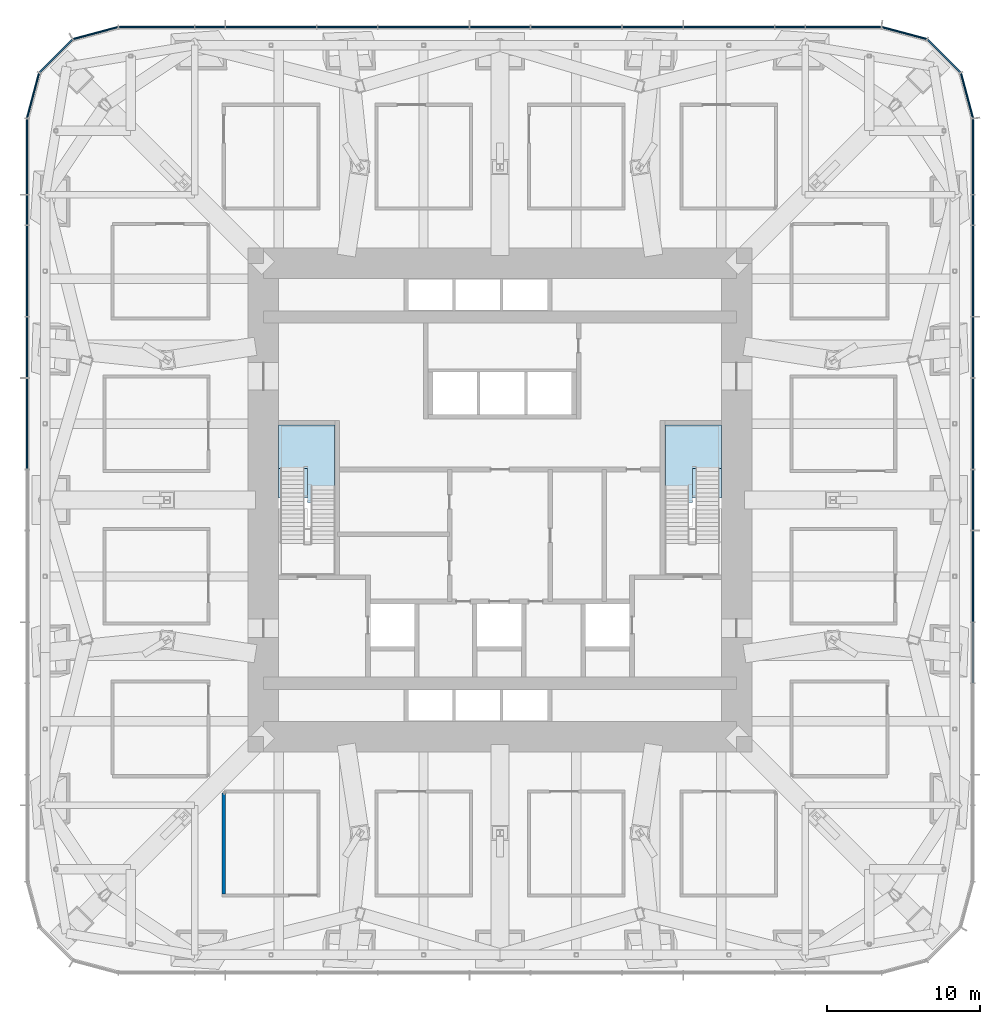
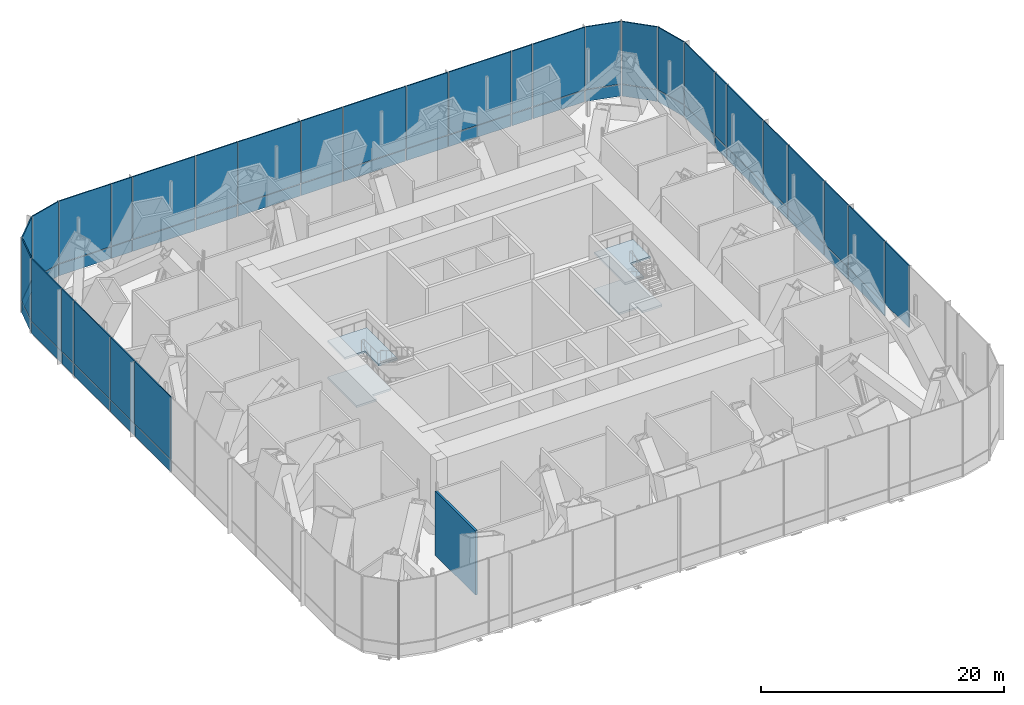
# One storey, part 11 of 20: 59 plates, 4 slabs, 1 wall, 7 elements without a shape of their own.
"""IFC4 building model written with IfcOpenShell, lengths in metres."""

from ifc_helpers import new_model, si_unit, direction, frame, frame_2d, origin, origin_2d, place, context, subcontext, project, spatial, polyline, rectangle, outline, extrude, material, layer, layer_set, type_object, element, aggregate, save


model = new_model("IFC4")

# Units and contexts
model_context = context("Model", 3, precision=1e-05, world=origin(), true_north=direction((0.0, 1.0)))
body_context = subcontext(model_context, "Body", "Model", "MODEL_VIEW")
ifc_project = project(units=[si_unit("LENGTHUNIT", "METRE"), si_unit("AREAUNIT", "SQUARE_METRE"), si_unit("VOLUMEUNIT", "CUBIC_METRE"), si_unit("PLANEANGLEUNIT", "RADIAN"), si_unit("MASSUNIT", "GRAM", prefix="KILO")], contexts=[model_context])

# Site, building, storey
site_placement = place(None, origin())
site = spatial("IfcSite", under=ifc_project, at=site_placement, CompositionType="ELEMENT")
building_placement = place(site_placement, origin())
building = spatial("IfcBuilding", under=site, at=building_placement, Name="Khuree Lantern Residences", CompositionType="ELEMENT")
storey_placement = place(building_placement, frame((0.0, 0.0, 99.75)))
storey = spatial("IfcBuildingStorey", under=building, at=storey_placement, Name="L25", CompositionType="ELEMENT", Elevation=99.75)

# Curtain wall, plates
ifc_material_1 = material(Name="Bronze anodised aluminium", Category="aluminium")
curtain_wall_type = type_object("IfcCurtainWallType", Name="CW-G PLANT STOREY LOUVRED CURTAIN WALL", PredefinedType="USERDEFINED", material=ifc_material_1)
curtain_wall_1_placement = place(storey_placement, origin())
curtain_wall_1 = element("IfcCurtainWall", 1, at=curtain_wall_1_placement, inside=storey, type_object=curtain_wall_type, Name="L25 EAST FACE CURTAIN WALL", ObjectType="Louvred curtain wall", PredefinedType="USERDEFINED")
ifc_material_2 = material(Name="Bronze anodised aluminium louvre blades", Category="aluminium")
ifc_layer_1 = layer(ifc_material_2, 0.10009765625)
ifc_layer_set_1 = layer_set([ifc_layer_1], Name="LOUVRE PANEL P5")
plate_type_1 = type_object("IfcPlateType", Name="LOUVRE PANEL P5", PredefinedType="CURTAIN_PANEL", material=ifc_layer_set_1)
plate_1_placement = place(storey_placement, frame((31.0, -10.0, 1.240234375), z_axis=(0.0, 0.0, 1.0), x_axis=(0.0, 1.0, 0.0)))
plate_1 = element("IfcPlate", 2, at=plate_1_placement, type_object=plate_type_1, Name="L25 EAST FACE PANEL 7.2", PredefinedType="CURTAIN_PANEL", context=body_context, shape_type="SweptSolid", body=[
    extrude(rectangle(XDim=3.919921875, YDim=0.10009765625, at=origin_2d()), origin(), (0.0, 0.0, 1.0), 6.260009765625),
])
plate_2_placement = place(storey_placement, frame((31.0, -5.0, 1.240234375), z_axis=(0.0, 0.0, 1.0), x_axis=(0.0, 1.0, 0.0)))
plate_2 = element("IfcPlate", 3, at=plate_2_placement, type_object=plate_type_1, Name="L25 EAST FACE PANEL 8.2", PredefinedType="CURTAIN_PANEL", context=body_context, shape_type="SweptSolid", body=[
    extrude(rectangle(XDim=5.919921875, YDim=0.10009765625, at=origin_2d()), origin(), (0.0, 0.0, 1.0), 6.260009765625),
])
plate_3_placement = place(storey_placement, frame((31.0, 0.0, 1.240234375), z_axis=(0.0, 0.0, 1.0), x_axis=(0.0, 1.0, 0.0)))
plate_3 = element("IfcPlate", 4, at=plate_3_placement, type_object=plate_type_1, Name="L25 EAST FACE PANEL 9.2", PredefinedType="CURTAIN_PANEL", context=body_context, shape_type="SweptSolid", body=[
    extrude(rectangle(XDim=3.919921875, YDim=0.10009765625, at=origin_2d()), origin(), (0.0, 0.0, 1.0), 6.260009765625),
])
plate_4_placement = place(storey_placement, frame((31.0, 5.0, 1.240234375), z_axis=(0.0, 0.0, 1.0), x_axis=(0.0, 1.0, 0.0)))
plate_4 = element("IfcPlate", 5, at=plate_4_placement, type_object=plate_type_1, Name="L25 EAST FACE PANEL 10.2", PredefinedType="CURTAIN_PANEL", context=body_context, shape_type="SweptSolid", body=[
    extrude(rectangle(XDim=5.919921875, YDim=0.10009765625, at=origin_2d()), origin(), (0.0, 0.0, 1.0), 6.260009765625),
])
plate_5_placement = place(storey_placement, frame((31.0, 10.0, 1.240234375), z_axis=(0.0, 0.0, 1.0), x_axis=(0.0, 1.0, 0.0)))
plate_5 = element("IfcPlate", 6, at=plate_5_placement, type_object=plate_type_1, Name="L25 EAST FACE PANEL 11.2", PredefinedType="CURTAIN_PANEL", context=body_context, shape_type="SweptSolid", body=[
    extrude(rectangle(XDim=3.919921875, YDim=0.10009765625, at=origin_2d()), origin(), (0.0, 0.0, 1.0), 6.260009765625),
])
plate_6_placement = place(storey_placement, frame((31.0, 15.0, 1.240234375), z_axis=(0.0, 0.0, 1.0), x_axis=(0.0, 1.0, 0.0)))
plate_6 = element("IfcPlate", 7, at=plate_6_placement, type_object=plate_type_1, Name="L25 EAST FACE PANEL 12.2", PredefinedType="CURTAIN_PANEL", context=body_context, shape_type="SweptSolid", body=[
    extrude(rectangle(XDim=5.919921875, YDim=0.10009765625, at=origin_2d()), origin(), (0.0, 0.0, 1.0), 6.260009765625),
])
plate_7_placement = place(storey_placement, frame((31.0, 19.0, 1.240234375), z_axis=(0.0, 0.0, 1.0), x_axis=(0.0, 1.0, 0.0)))
plate_7 = element("IfcPlate", 8, at=plate_7_placement, type_object=plate_type_1, Name="L25 EAST FACE PANEL 13.2", PredefinedType="CURTAIN_PANEL", context=body_context, shape_type="SweptSolid", body=[
    extrude(rectangle(XDim=1.919921875, YDim=0.10009765625, at=origin_2d()), origin(), (0.0, 0.0, 1.0), 6.260009765625),
])
plate_8_placement = place(storey_placement, frame((31.0, 22.49658203125, 1.240234375), z_axis=(0.0, 0.0, 1.0), x_axis=(0.0, 1.0, 0.0)))
plate_8 = element("IfcPlate", 9, at=plate_8_placement, type_object=plate_type_1, Name="L25 EAST FACE PANEL 14.2", PredefinedType="CURTAIN_PANEL", context=body_context, shape_type="SweptSolid", body=[
    extrude(rectangle(XDim=4.9130859375, YDim=0.10009765625, at=origin_2d()), origin(), (0.0, 0.0, 1.0), 6.260009765625),
])

curtain_wall_2_placement = place(storey_placement, origin())
curtain_wall_2 = element("IfcCurtainWall", 10, at=curtain_wall_2_placement, inside=storey, type_object=curtain_wall_type, Name="L25 NORTH-EAST CORNER CURTAIN WALL", ObjectType="Louvred curtain wall", PredefinedType="USERDEFINED")
plate_9_placement = place(storey_placement, frame((30.59912109375, 26.49609375, 1.240234375), z_axis=(0.0, 0.0, 1.0), x_axis=(-0.258819172081, 0.965925792265, 0.0)))
plate_9 = element("IfcPlate", 11, at=plate_9_placement, type_object=plate_type_1, Name="L25 NORTH-EAST CORNER PANEL 15.2", PredefinedType="CURTAIN_PANEL", context=body_context, shape_type="SweptSolid", body=[
    extrude(rectangle(XDim=3.004150390625, YDim=0.10009765625, at=origin_2d()), origin(), (0.0, 0.0, 1.0), 6.260009765625),
])
plate_10_placement = place(storey_placement, frame((29.09814453125, 29.09814453125, 1.240234375), z_axis=(0.0, 0.0, 1.0), x_axis=(-0.707106781187, 0.707106781187, 0.0)))
plate_10 = element("IfcPlate", 12, at=plate_10_placement, type_object=plate_type_1, Name="L25 NORTH-EAST CORNER PANEL 16.2", PredefinedType="CURTAIN_PANEL", context=body_context, shape_type="SweptSolid", body=[
    extrude(rectangle(XDim=2.99609375, YDim=0.10009765625, at=origin_2d()), origin(), (0.0, 0.0, 1.0), 6.260009765625),
])
plate_11_placement = place(storey_placement, frame((26.49609375, 30.59912109375, 1.240234375), z_axis=(0.0, 0.0, 1.0), x_axis=(-0.965925792265, 0.258819172081, 0.0)))
plate_11 = element("IfcPlate", 13, at=plate_11_placement, type_object=plate_type_1, Name="L25 NORTH-EAST CORNER PANEL 17.2", PredefinedType="CURTAIN_PANEL", context=body_context, shape_type="SweptSolid", body=[
    extrude(rectangle(XDim=3.004150390625, YDim=0.10009765625, at=origin_2d()), origin(), (0.0, 0.0, 1.0), 6.260009765625),
])

curtain_wall_3_placement = place(storey_placement, origin())
curtain_wall_3 = element("IfcCurtainWall", 14, at=curtain_wall_3_placement, inside=storey, type_object=curtain_wall_type, Name="L25 NORTH FACE CURTAIN WALL", ObjectType="Louvred curtain wall", PredefinedType="USERDEFINED")
plate_12_placement = place(storey_placement, frame((22.49658203125, 31.0, 1.240234375), z_axis=(0.0, 0.0, 1.0), x_axis=(-1.0, 0.0, 0.0)))
plate_12 = element("IfcPlate", 15, at=plate_12_placement, type_object=plate_type_1, Name="L25 NORTH FACE PANEL 18.2", PredefinedType="CURTAIN_PANEL", context=body_context, shape_type="SweptSolid", body=[
    extrude(rectangle(XDim=4.9130859375, YDim=0.10009765625, at=origin_2d()), origin(), (0.0, 0.0, 1.0), 6.260009765625),
])
plate_13_placement = place(storey_placement, frame((19.0, 31.0, 1.240234375), z_axis=(0.0, 0.0, 1.0), x_axis=(-1.0, 0.0, 0.0)))
plate_13 = element("IfcPlate", 16, at=plate_13_placement, type_object=plate_type_1, Name="L25 NORTH FACE PANEL 19.2", PredefinedType="CURTAIN_PANEL", context=body_context, shape_type="SweptSolid", body=[
    extrude(rectangle(XDim=1.919921875, YDim=0.10009765625, at=origin_2d()), origin(), (0.0, 0.0, 1.0), 6.260009765625),
])
plate_14_placement = place(storey_placement, frame((15.0, 31.0, 1.240234375), z_axis=(0.0, 0.0, 1.0), x_axis=(-1.0, 0.0, 0.0)))
plate_14 = element("IfcPlate", 17, at=plate_14_placement, type_object=plate_type_1, Name="L25 NORTH FACE PANEL 20.2", PredefinedType="CURTAIN_PANEL", context=body_context, shape_type="SweptSolid", body=[
    extrude(rectangle(XDim=5.919921875, YDim=0.10009765625, at=origin_2d()), origin(), (0.0, 0.0, 1.0), 6.260009765625),
])
plate_15_placement = place(storey_placement, frame((10.0, 31.0, 1.240234375), z_axis=(0.0, 0.0, 1.0), x_axis=(-1.0, 0.0, 0.0)))
plate_15 = element("IfcPlate", 18, at=plate_15_placement, type_object=plate_type_1, Name="L25 NORTH FACE PANEL 21.2", PredefinedType="CURTAIN_PANEL", context=body_context, shape_type="SweptSolid", body=[
    extrude(rectangle(XDim=3.919921875, YDim=0.10009765625, at=origin_2d()), origin(), (0.0, 0.0, 1.0), 6.260009765625),
])
plate_16_placement = place(storey_placement, frame((5.0, 31.0, 1.240234375), z_axis=(0.0, 0.0, 1.0), x_axis=(-1.0, 0.0, 0.0)))
plate_16 = element("IfcPlate", 19, at=plate_16_placement, type_object=plate_type_1, Name="L25 NORTH FACE PANEL 22.2", PredefinedType="CURTAIN_PANEL", context=body_context, shape_type="SweptSolid", body=[
    extrude(rectangle(XDim=5.919921875, YDim=0.10009765625, at=origin_2d()), origin(), (0.0, 0.0, 1.0), 6.260009765625),
])
plate_17_placement = place(storey_placement, frame((0.0, 31.0, 1.240234375), z_axis=(0.0, 0.0, 1.0), x_axis=(-1.0, 0.0, 0.0)))
plate_17 = element("IfcPlate", 20, at=plate_17_placement, type_object=plate_type_1, Name="L25 NORTH FACE PANEL 23.2", PredefinedType="CURTAIN_PANEL", context=body_context, shape_type="SweptSolid", body=[
    extrude(rectangle(XDim=3.919921875, YDim=0.10009765625, at=origin_2d()), origin(), (0.0, 0.0, 1.0), 6.260009765625),
])
plate_18_placement = place(storey_placement, frame((-5.0, 31.0, 1.240234375), z_axis=(0.0, 0.0, 1.0), x_axis=(-1.0, 0.0, 0.0)))
plate_18 = element("IfcPlate", 21, at=plate_18_placement, type_object=plate_type_1, Name="L25 NORTH FACE PANEL 24.2", PredefinedType="CURTAIN_PANEL", context=body_context, shape_type="SweptSolid", body=[
    extrude(rectangle(XDim=5.919921875, YDim=0.10009765625, at=origin_2d()), origin(), (0.0, 0.0, 1.0), 6.260009765625),
])
plate_19_placement = place(storey_placement, frame((-10.0, 31.0, 1.240234375), z_axis=(0.0, 0.0, 1.0), x_axis=(-1.0, 0.0, 0.0)))
plate_19 = element("IfcPlate", 22, at=plate_19_placement, type_object=plate_type_1, Name="L25 NORTH FACE PANEL 25.2", PredefinedType="CURTAIN_PANEL", context=body_context, shape_type="SweptSolid", body=[
    extrude(rectangle(XDim=3.919921875, YDim=0.10009765625, at=origin_2d()), origin(), (0.0, 0.0, 1.0), 6.260009765625),
])
plate_20_placement = place(storey_placement, frame((-15.0, 31.0, 1.240234375), z_axis=(0.0, 0.0, 1.0), x_axis=(-1.0, 0.0, 0.0)))
plate_20 = element("IfcPlate", 23, at=plate_20_placement, type_object=plate_type_1, Name="L25 NORTH FACE PANEL 26.2", PredefinedType="CURTAIN_PANEL", context=body_context, shape_type="SweptSolid", body=[
    extrude(rectangle(XDim=5.919921875, YDim=0.10009765625, at=origin_2d()), origin(), (0.0, 0.0, 1.0), 6.260009765625),
])
plate_21_placement = place(storey_placement, frame((-19.0, 31.0, 1.240234375), z_axis=(0.0, 0.0, 1.0), x_axis=(-1.0, 0.0, 0.0)))
plate_21 = element("IfcPlate", 24, at=plate_21_placement, type_object=plate_type_1, Name="L25 NORTH FACE PANEL 27.2", PredefinedType="CURTAIN_PANEL", context=body_context, shape_type="SweptSolid", body=[
    extrude(rectangle(XDim=1.919921875, YDim=0.10009765625, at=origin_2d()), origin(), (0.0, 0.0, 1.0), 6.260009765625),
])
plate_22_placement = place(storey_placement, frame((-22.49658203125, 31.0, 1.240234375), z_axis=(0.0, 0.0, 1.0), x_axis=(-1.0, 0.0, 0.0)))
plate_22 = element("IfcPlate", 25, at=plate_22_placement, type_object=plate_type_1, Name="L25 NORTH FACE PANEL 28.2", PredefinedType="CURTAIN_PANEL", context=body_context, shape_type="SweptSolid", body=[
    extrude(rectangle(XDim=4.9130859375, YDim=0.10009765625, at=origin_2d()), origin(), (0.0, 0.0, 1.0), 6.260009765625),
])

curtain_wall_4_placement = place(storey_placement, origin())
curtain_wall_4 = element("IfcCurtainWall", 26, at=curtain_wall_4_placement, inside=storey, type_object=curtain_wall_type, Name="L25 NORTH-WEST CORNER CURTAIN WALL", ObjectType="Louvred curtain wall", PredefinedType="USERDEFINED")
plate_23_placement = place(storey_placement, frame((-26.49609375, 30.59912109375, 1.240234375), z_axis=(0.0, 0.0, 1.0), x_axis=(-0.965925792265, -0.258819172081, 0.0)))
plate_23 = element("IfcPlate", 27, at=plate_23_placement, type_object=plate_type_1, Name="L25 NORTH-WEST CORNER PANEL 29.2", PredefinedType="CURTAIN_PANEL", context=body_context, shape_type="SweptSolid", body=[
    extrude(rectangle(XDim=3.004150390625, YDim=0.10009765625, at=origin_2d()), origin(), (0.0, 0.0, 1.0), 6.260009765625),
])
plate_24_placement = place(storey_placement, frame((-29.09814453125, 29.09814453125, 1.240234375), z_axis=(0.0, 0.0, 1.0), x_axis=(-0.707106781187, -0.707106781187, 0.0)))
plate_24 = element("IfcPlate", 28, at=plate_24_placement, type_object=plate_type_1, Name="L25 NORTH-WEST CORNER PANEL 30.2", PredefinedType="CURTAIN_PANEL", context=body_context, shape_type="SweptSolid", body=[
    extrude(rectangle(XDim=2.99609375, YDim=0.10009765625, at=origin_2d()), origin(), (0.0, 0.0, 1.0), 6.260009765625),
])
plate_25_placement = place(storey_placement, frame((-30.59912109375, 26.49609375, 1.240234375), z_axis=(0.0, 0.0, 1.0), x_axis=(-0.258819172081, -0.965925792265, 0.0)))
plate_25 = element("IfcPlate", 29, at=plate_25_placement, type_object=plate_type_1, Name="L25 NORTH-WEST CORNER PANEL 31.2", PredefinedType="CURTAIN_PANEL", context=body_context, shape_type="SweptSolid", body=[
    extrude(rectangle(XDim=3.004150390625, YDim=0.10009765625, at=origin_2d()), origin(), (0.0, 0.0, 1.0), 6.260009765625),
])

curtain_wall_5_placement = place(storey_placement, origin())
curtain_wall_5 = element("IfcCurtainWall", 30, at=curtain_wall_5_placement, inside=storey, type_object=curtain_wall_type, Name="L25 WEST FACE CURTAIN WALL", ObjectType="Louvred curtain wall", PredefinedType="USERDEFINED")
plate_26_placement = place(storey_placement, frame((-31.0, 22.49658203125, 1.240234375), z_axis=(0.0, 0.0, 1.0), x_axis=(0.0, -1.0, 0.0)))
plate_26 = element("IfcPlate", 31, at=plate_26_placement, type_object=plate_type_1, Name="L25 WEST FACE PANEL 32.2", PredefinedType="CURTAIN_PANEL", context=body_context, shape_type="SweptSolid", body=[
    extrude(rectangle(XDim=4.9130859375, YDim=0.10009765625, at=origin_2d()), origin(), (0.0, 0.0, 1.0), 6.260009765625),
])
plate_27_placement = place(storey_placement, frame((-31.0, 19.0, 1.240234375), z_axis=(0.0, 0.0, 1.0), x_axis=(0.0, -1.0, 0.0)))
plate_27 = element("IfcPlate", 32, at=plate_27_placement, type_object=plate_type_1, Name="L25 WEST FACE PANEL 33.2", PredefinedType="CURTAIN_PANEL", context=body_context, shape_type="SweptSolid", body=[
    extrude(rectangle(XDim=1.919921875, YDim=0.10009765625, at=origin_2d()), origin(), (0.0, 0.0, 1.0), 6.260009765625),
])
plate_28_placement = place(storey_placement, frame((-31.0, 15.0, 1.240234375), z_axis=(0.0, 0.0, 1.0), x_axis=(0.0, -1.0, 0.0)))
plate_28 = element("IfcPlate", 33, at=plate_28_placement, type_object=plate_type_1, Name="L25 WEST FACE PANEL 34.2", PredefinedType="CURTAIN_PANEL", context=body_context, shape_type="SweptSolid", body=[
    extrude(rectangle(XDim=5.919921875, YDim=0.10009765625, at=origin_2d()), origin(), (0.0, 0.0, 1.0), 6.260009765625),
])
plate_29_placement = place(storey_placement, frame((-31.0, 10.0, 1.240234375), z_axis=(0.0, 0.0, 1.0), x_axis=(0.0, -1.0, 0.0)))
plate_29 = element("IfcPlate", 34, at=plate_29_placement, type_object=plate_type_1, Name="L25 WEST FACE PANEL 35.2", PredefinedType="CURTAIN_PANEL", context=body_context, shape_type="SweptSolid", body=[
    extrude(rectangle(XDim=3.919921875, YDim=0.10009765625, at=origin_2d()), origin(), (0.0, 0.0, 1.0), 6.260009765625),
])
plate_30_placement = place(storey_placement, frame((-31.0, 5.0, 1.240234375), z_axis=(0.0, 0.0, 1.0), x_axis=(0.0, -1.0, 0.0)))
plate_30 = element("IfcPlate", 35, at=plate_30_placement, type_object=plate_type_1, Name="L25 WEST FACE PANEL 36.2", PredefinedType="CURTAIN_PANEL", context=body_context, shape_type="SweptSolid", body=[
    extrude(rectangle(XDim=5.919921875, YDim=0.10009765625, at=origin_2d()), origin(), (0.0, 0.0, 1.0), 6.260009765625),
])

# Plate
ifc_material_3 = material(Name="Bronze anodised aluminium insulated spandrel", Category="aluminium")
ifc_layer_2 = layer(ifc_material_3, 0.080078125)
ifc_layer_set_2 = layer_set([ifc_layer_2], Name="PLANT SPANDREL PANEL P6")
plate_type_2 = type_object("IfcPlateType", Name="PLANT SPANDREL PANEL P6", PredefinedType="CURTAIN_PANEL", material=ifc_layer_set_2)
plate_31_placement = place(storey_placement, frame((31.0, -5.0, 0.0), z_axis=(0.0, 0.0, 1.0), x_axis=(0.0, 1.0, 0.0)))
plate_31 = element("IfcPlate", 36, at=plate_31_placement, type_object=plate_type_2, Name="L25 EAST FACE PANEL 8.1", PredefinedType="CURTAIN_PANEL", context=body_context, shape_type="SweptSolid", body=[
    extrude(rectangle(XDim=5.919921875, YDim=0.080078125, at=origin_2d()), origin(), (0.0, 0.0, 1.0), 1.159912109375),
])

plate_32_placement = place(storey_placement, frame((31.0, 0.0, 0.0), z_axis=(0.0, 0.0, 1.0), x_axis=(0.0, 1.0, 0.0)))
plate_32 = element("IfcPlate", 37, at=plate_32_placement, type_object=plate_type_2, Name="L25 EAST FACE PANEL 9.1", PredefinedType="CURTAIN_PANEL", context=body_context, shape_type="SweptSolid", body=[
    extrude(rectangle(XDim=3.919921875, YDim=0.080078125, at=origin_2d()), origin(), (0.0, 0.0, 1.0), 1.159912109375),
])

plate_33_placement = place(storey_placement, frame((31.0, 5.0, 0.0), z_axis=(0.0, 0.0, 1.0), x_axis=(0.0, 1.0, 0.0)))
plate_33 = element("IfcPlate", 38, at=plate_33_placement, type_object=plate_type_2, Name="L25 EAST FACE PANEL 10.1", PredefinedType="CURTAIN_PANEL", context=body_context, shape_type="SweptSolid", body=[
    extrude(rectangle(XDim=5.919921875, YDim=0.080078125, at=origin_2d()), origin(), (0.0, 0.0, 1.0), 1.159912109375),
])

plate_34_placement = place(storey_placement, frame((31.0, 10.0, 0.0), z_axis=(0.0, 0.0, 1.0), x_axis=(0.0, 1.0, 0.0)))
plate_34 = element("IfcPlate", 39, at=plate_34_placement, type_object=plate_type_2, Name="L25 EAST FACE PANEL 11.1", PredefinedType="CURTAIN_PANEL", context=body_context, shape_type="SweptSolid", body=[
    extrude(rectangle(XDim=3.919921875, YDim=0.080078125, at=origin_2d()), origin(), (0.0, 0.0, 1.0), 1.159912109375),
])

plate_35_placement = place(storey_placement, frame((31.0, 15.0, 0.0), z_axis=(0.0, 0.0, 1.0), x_axis=(0.0, 1.0, 0.0)))
plate_35 = element("IfcPlate", 40, at=plate_35_placement, type_object=plate_type_2, Name="L25 EAST FACE PANEL 12.1", PredefinedType="CURTAIN_PANEL", context=body_context, shape_type="SweptSolid", body=[
    extrude(rectangle(XDim=5.919921875, YDim=0.080078125, at=origin_2d()), origin(), (0.0, 0.0, 1.0), 1.159912109375),
])

plate_36_placement = place(storey_placement, frame((31.0, 19.0, 0.0), z_axis=(0.0, 0.0, 1.0), x_axis=(0.0, 1.0, 0.0)))
plate_36 = element("IfcPlate", 41, at=plate_36_placement, type_object=plate_type_2, Name="L25 EAST FACE PANEL 13.1", PredefinedType="CURTAIN_PANEL", context=body_context, shape_type="SweptSolid", body=[
    extrude(rectangle(XDim=1.919921875, YDim=0.080078125, at=origin_2d()), origin(), (0.0, 0.0, 1.0), 1.159912109375),
])

plate_37_placement = place(storey_placement, frame((31.0, 22.497314453125, 0.0), z_axis=(0.0, 0.0, 1.0), x_axis=(0.0, 1.0, 0.0)))
plate_37 = element("IfcPlate", 42, at=plate_37_placement, type_object=plate_type_2, Name="L25 EAST FACE PANEL 14.1", PredefinedType="CURTAIN_PANEL", context=body_context, shape_type="SweptSolid", body=[
    extrude(rectangle(XDim=4.914306640625, YDim=0.080078125, at=origin_2d()), origin(), (0.0, 0.0, 1.0), 1.159912109375),
])

aggregate(curtain_wall_1, [plate_1, plate_31, plate_2, plate_32, plate_3, plate_33, plate_4, plate_34, plate_5, plate_35, plate_6, plate_36, plate_7, plate_37, plate_8])

plate_38_placement = place(storey_placement, frame((30.598876953125, 26.496826171875, 0.0), z_axis=(0.0, 0.0, 1.0), x_axis=(-0.258819172081, 0.965925792265, 0.0)))
plate_38 = element("IfcPlate", 43, at=plate_38_placement, type_object=plate_type_2, Name="L25 NORTH-EAST CORNER PANEL 15.1", PredefinedType="CURTAIN_PANEL", context=body_context, shape_type="SweptSolid", body=[
    extrude(rectangle(XDim=3.008056640625, YDim=0.080078125, at=origin_2d()), origin(), (0.0, 0.0, 1.0), 1.159912109375),
])

plate_39_placement = place(storey_placement, frame((29.09814453125, 29.09814453125, 0.0), z_axis=(0.0, 0.0, 1.0), x_axis=(-0.707106781187, 0.707106781187, 0.0)))
plate_39 = element("IfcPlate", 44, at=plate_39_placement, type_object=plate_type_2, Name="L25 NORTH-EAST CORNER PANEL 16.1", PredefinedType="CURTAIN_PANEL", context=body_context, shape_type="SweptSolid", body=[
    extrude(rectangle(XDim=3.00146484375, YDim=0.080078125, at=origin_2d()), origin(), (0.0, 0.0, 1.0), 1.159912109375),
])

plate_40_placement = place(storey_placement, frame((26.496826171875, 30.598876953125, 0.0), z_axis=(0.0, 0.0, 1.0), x_axis=(-0.965925792265, 0.258819172081, 0.0)))
plate_40 = element("IfcPlate", 45, at=plate_40_placement, type_object=plate_type_2, Name="L25 NORTH-EAST CORNER PANEL 17.1", PredefinedType="CURTAIN_PANEL", context=body_context, shape_type="SweptSolid", body=[
    extrude(rectangle(XDim=3.008056640625, YDim=0.080078125, at=origin_2d()), origin(), (0.0, 0.0, 1.0), 1.159912109375),
])

aggregate(curtain_wall_2, [plate_38, plate_9, plate_39, plate_10, plate_40, plate_11])

plate_41_placement = place(storey_placement, frame((22.497314453125, 31.0, 0.0), z_axis=(0.0, 0.0, 1.0), x_axis=(-1.0, 0.0, 0.0)))
plate_41 = element("IfcPlate", 46, at=plate_41_placement, type_object=plate_type_2, Name="L25 NORTH FACE PANEL 18.1", PredefinedType="CURTAIN_PANEL", context=body_context, shape_type="SweptSolid", body=[
    extrude(rectangle(XDim=4.914306640625, YDim=0.080078125, at=origin_2d()), origin(), (0.0, 0.0, 1.0), 1.159912109375),
])

plate_42_placement = place(storey_placement, frame((19.0, 31.0, 0.0), z_axis=(0.0, 0.0, 1.0), x_axis=(-1.0, 0.0, 0.0)))
plate_42 = element("IfcPlate", 47, at=plate_42_placement, type_object=plate_type_2, Name="L25 NORTH FACE PANEL 19.1", PredefinedType="CURTAIN_PANEL", context=body_context, shape_type="SweptSolid", body=[
    extrude(rectangle(XDim=1.919921875, YDim=0.080078125, at=origin_2d()), origin(), (0.0, 0.0, 1.0), 1.159912109375),
])

plate_43_placement = place(storey_placement, frame((15.0, 31.0, 0.0), z_axis=(0.0, 0.0, 1.0), x_axis=(-1.0, 0.0, 0.0)))
plate_43 = element("IfcPlate", 48, at=plate_43_placement, type_object=plate_type_2, Name="L25 NORTH FACE PANEL 20.1", PredefinedType="CURTAIN_PANEL", context=body_context, shape_type="SweptSolid", body=[
    extrude(rectangle(XDim=5.919921875, YDim=0.080078125, at=origin_2d()), origin(), (0.0, 0.0, 1.0), 1.159912109375),
])

plate_44_placement = place(storey_placement, frame((10.0, 31.0, 0.0), z_axis=(0.0, 0.0, 1.0), x_axis=(-1.0, 0.0, 0.0)))
plate_44 = element("IfcPlate", 49, at=plate_44_placement, type_object=plate_type_2, Name="L25 NORTH FACE PANEL 21.1", PredefinedType="CURTAIN_PANEL", context=body_context, shape_type="SweptSolid", body=[
    extrude(rectangle(XDim=3.919921875, YDim=0.080078125, at=origin_2d()), origin(), (0.0, 0.0, 1.0), 1.159912109375),
])

plate_45_placement = place(storey_placement, frame((5.0, 31.0, 0.0), z_axis=(0.0, 0.0, 1.0), x_axis=(-1.0, 0.0, 0.0)))
plate_45 = element("IfcPlate", 50, at=plate_45_placement, type_object=plate_type_2, Name="L25 NORTH FACE PANEL 22.1", PredefinedType="CURTAIN_PANEL", context=body_context, shape_type="SweptSolid", body=[
    extrude(rectangle(XDim=5.919921875, YDim=0.080078125, at=origin_2d()), origin(), (0.0, 0.0, 1.0), 1.159912109375),
])

plate_46_placement = place(storey_placement, frame((0.0, 31.0, 0.0), z_axis=(0.0, 0.0, 1.0), x_axis=(-1.0, 0.0, 0.0)))
plate_46 = element("IfcPlate", 51, at=plate_46_placement, type_object=plate_type_2, Name="L25 NORTH FACE PANEL 23.1", PredefinedType="CURTAIN_PANEL", context=body_context, shape_type="SweptSolid", body=[
    extrude(rectangle(XDim=3.919921875, YDim=0.080078125, at=origin_2d()), origin(), (0.0, 0.0, 1.0), 1.159912109375),
])

plate_47_placement = place(storey_placement, frame((-5.0, 31.0, 0.0), z_axis=(0.0, 0.0, 1.0), x_axis=(-1.0, 0.0, 0.0)))
plate_47 = element("IfcPlate", 52, at=plate_47_placement, type_object=plate_type_2, Name="L25 NORTH FACE PANEL 24.1", PredefinedType="CURTAIN_PANEL", context=body_context, shape_type="SweptSolid", body=[
    extrude(rectangle(XDim=5.919921875, YDim=0.080078125, at=origin_2d()), origin(), (0.0, 0.0, 1.0), 1.159912109375),
])

plate_48_placement = place(storey_placement, frame((-10.0, 31.0, 0.0), z_axis=(0.0, 0.0, 1.0), x_axis=(-1.0, 0.0, 0.0)))
plate_48 = element("IfcPlate", 53, at=plate_48_placement, type_object=plate_type_2, Name="L25 NORTH FACE PANEL 25.1", PredefinedType="CURTAIN_PANEL", context=body_context, shape_type="SweptSolid", body=[
    extrude(rectangle(XDim=3.919921875, YDim=0.080078125, at=origin_2d()), origin(), (0.0, 0.0, 1.0), 1.159912109375),
])

plate_49_placement = place(storey_placement, frame((-15.0, 31.0, 0.0), z_axis=(0.0, 0.0, 1.0), x_axis=(-1.0, 0.0, 0.0)))
plate_49 = element("IfcPlate", 54, at=plate_49_placement, type_object=plate_type_2, Name="L25 NORTH FACE PANEL 26.1", PredefinedType="CURTAIN_PANEL", context=body_context, shape_type="SweptSolid", body=[
    extrude(rectangle(XDim=5.919921875, YDim=0.080078125, at=origin_2d()), origin(), (0.0, 0.0, 1.0), 1.159912109375),
])

plate_50_placement = place(storey_placement, frame((-19.0, 31.0, 0.0), z_axis=(0.0, 0.0, 1.0), x_axis=(-1.0, 0.0, 0.0)))
plate_50 = element("IfcPlate", 55, at=plate_50_placement, type_object=plate_type_2, Name="L25 NORTH FACE PANEL 27.1", PredefinedType="CURTAIN_PANEL", context=body_context, shape_type="SweptSolid", body=[
    extrude(rectangle(XDim=1.919921875, YDim=0.080078125, at=origin_2d()), origin(), (0.0, 0.0, 1.0), 1.159912109375),
])

plate_51_placement = place(storey_placement, frame((-22.497314453125, 31.0, 0.0), z_axis=(0.0, 0.0, 1.0), x_axis=(-1.0, 0.0, 0.0)))
plate_51 = element("IfcPlate", 56, at=plate_51_placement, type_object=plate_type_2, Name="L25 NORTH FACE PANEL 28.1", PredefinedType="CURTAIN_PANEL", context=body_context, shape_type="SweptSolid", body=[
    extrude(rectangle(XDim=4.914306640625, YDim=0.080078125, at=origin_2d()), origin(), (0.0, 0.0, 1.0), 1.159912109375),
])

aggregate(curtain_wall_3, [plate_41, plate_12, plate_42, plate_13, plate_43, plate_14, plate_44, plate_15, plate_45, plate_16, plate_46, plate_17, plate_47, plate_18, plate_48, plate_19, plate_49, plate_20, plate_50, plate_21, plate_51, plate_22])

plate_52_placement = place(storey_placement, frame((-26.496826171875, 30.598876953125, 0.0), z_axis=(0.0, 0.0, 1.0), x_axis=(-0.965925792265, -0.258819172081, 0.0)))
plate_52 = element("IfcPlate", 57, at=plate_52_placement, type_object=plate_type_2, Name="L25 NORTH-WEST CORNER PANEL 29.1", PredefinedType="CURTAIN_PANEL", context=body_context, shape_type="SweptSolid", body=[
    extrude(rectangle(XDim=3.008056640625, YDim=0.080078125, at=origin_2d()), origin(), (0.0, 0.0, 1.0), 1.159912109375),
])

plate_53_placement = place(storey_placement, frame((-29.09814453125, 29.09814453125, 0.0), z_axis=(0.0, 0.0, 1.0), x_axis=(-0.707106781187, -0.707106781187, 0.0)))
plate_53 = element("IfcPlate", 58, at=plate_53_placement, type_object=plate_type_2, Name="L25 NORTH-WEST CORNER PANEL 30.1", PredefinedType="CURTAIN_PANEL", context=body_context, shape_type="SweptSolid", body=[
    extrude(rectangle(XDim=3.00146484375, YDim=0.080078125, at=origin_2d()), origin(), (0.0, 0.0, 1.0), 1.159912109375),
])

plate_54_placement = place(storey_placement, frame((-30.598876953125, 26.496826171875, 0.0), z_axis=(0.0, 0.0, 1.0), x_axis=(-0.258819172081, -0.965925792265, 0.0)))
plate_54 = element("IfcPlate", 59, at=plate_54_placement, type_object=plate_type_2, Name="L25 NORTH-WEST CORNER PANEL 31.1", PredefinedType="CURTAIN_PANEL", context=body_context, shape_type="SweptSolid", body=[
    extrude(rectangle(XDim=3.008056640625, YDim=0.080078125, at=origin_2d()), origin(), (0.0, 0.0, 1.0), 1.159912109375),
])

aggregate(curtain_wall_4, [plate_52, plate_23, plate_53, plate_24, plate_54, plate_25])

plate_55_placement = place(storey_placement, frame((-31.0, 22.497314453125, 0.0), z_axis=(0.0, 0.0, 1.0), x_axis=(0.0, -1.0, 0.0)))
plate_55 = element("IfcPlate", 60, at=plate_55_placement, type_object=plate_type_2, Name="L25 WEST FACE PANEL 32.1", PredefinedType="CURTAIN_PANEL", context=body_context, shape_type="SweptSolid", body=[
    extrude(rectangle(XDim=4.914306640625, YDim=0.080078125, at=origin_2d()), origin(), (0.0, 0.0, 1.0), 1.159912109375),
])

plate_56_placement = place(storey_placement, frame((-31.0, 19.0, 0.0), z_axis=(0.0, 0.0, 1.0), x_axis=(0.0, -1.0, 0.0)))
plate_56 = element("IfcPlate", 61, at=plate_56_placement, type_object=plate_type_2, Name="L25 WEST FACE PANEL 33.1", PredefinedType="CURTAIN_PANEL", context=body_context, shape_type="SweptSolid", body=[
    extrude(rectangle(XDim=1.919921875, YDim=0.080078125, at=origin_2d()), origin(), (0.0, 0.0, 1.0), 1.159912109375),
])

plate_57_placement = place(storey_placement, frame((-31.0, 15.0, 0.0), z_axis=(0.0, 0.0, 1.0), x_axis=(0.0, -1.0, 0.0)))
plate_57 = element("IfcPlate", 62, at=plate_57_placement, type_object=plate_type_2, Name="L25 WEST FACE PANEL 34.1", PredefinedType="CURTAIN_PANEL", context=body_context, shape_type="SweptSolid", body=[
    extrude(rectangle(XDim=5.919921875, YDim=0.080078125, at=origin_2d()), origin(), (0.0, 0.0, 1.0), 1.159912109375),
])

plate_58_placement = place(storey_placement, frame((-31.0, 10.0, 0.0), z_axis=(0.0, 0.0, 1.0), x_axis=(0.0, -1.0, 0.0)))
plate_58 = element("IfcPlate", 63, at=plate_58_placement, type_object=plate_type_2, Name="L25 WEST FACE PANEL 35.1", PredefinedType="CURTAIN_PANEL", context=body_context, shape_type="SweptSolid", body=[
    extrude(rectangle(XDim=3.919921875, YDim=0.080078125, at=origin_2d()), origin(), (0.0, 0.0, 1.0), 1.159912109375),
])

plate_59_placement = place(storey_placement, frame((-31.0, 5.0, 0.0), z_axis=(0.0, 0.0, 1.0), x_axis=(0.0, -1.0, 0.0)))
plate_59 = element("IfcPlate", 64, at=plate_59_placement, type_object=plate_type_2, Name="L25 WEST FACE PANEL 36.1", PredefinedType="CURTAIN_PANEL", context=body_context, shape_type="SweptSolid", body=[
    extrude(rectangle(XDim=5.919921875, YDim=0.080078125, at=origin_2d()), origin(), (0.0, 0.0, 1.0), 1.159912109375),
])

aggregate(curtain_wall_5, [plate_55, plate_26, plate_56, plate_27, plate_57, plate_28, plate_58, plate_29, plate_59, plate_30])

# Stair, slabs
ifc_material_4 = material(Name="Concrete C40/50", Category="concrete")
stair_type = type_object("IfcStairType", Name="STAIR ST1 HALF TURN 3600", PredefinedType="HALF_TURN_STAIR", material=ifc_material_4)
stair_1_placement = place(storey_placement, origin())
stair_1 = element("IfcStair", 65, at=stair_1_placement, inside=storey, type_object=stair_type, Name="Stair ST1", PredefinedType="HALF_TURN_STAIR")
ifc_layer_3 = layer(ifc_material_4, 0.199951171875)
ifc_layer_set_3 = layer_set([ifc_layer_3], Name="STAIR LANDING SL1 200")
slab_type = type_object("IfcSlabType", Name="STAIR LANDING SL1 200", PredefinedType="LANDING", material=ifc_layer_set_3)
slab_1_placement = place(storey_placement, frame((0.0, 0.0, 1.800048828125)))
slab_1 = element("IfcSlab", 66, at=slab_1_placement, type_object=slab_type, Name="ST1 landing 2", PredefinedType="LANDING", context=body_context, shape_type="SweptSolid", body=[
    extrude(outline(polyline([(-12.60009765625, 0.1201171875), (-14.5, 0.1201171875), (-14.5, 4.89990234375), (-10.800048828125, 4.89990234375), (-10.800048828125, 0.85009765625), (-12.60009765625, 0.85009765625), (-12.60009765625, 0.1201171875)])), origin(), (0.0, 0.0, 1.0), 0.199951171875),
])
slab_2_placement = place(storey_placement, frame((0.0, 0.0, 5.466552734375)))
slab_2 = element("IfcSlab", 67, at=slab_2_placement, type_object=slab_type, Name="ST1 landing 4", PredefinedType="LANDING", context=body_context, shape_type="SweptSolid", body=[
    extrude(outline(polyline([(-10.800048828125, 4.89990234375), (-10.800048828125, -0.159912109375), (-12.60009765625, -0.159912109375), (-12.60009765625, 2.050048828125), (-14.5, 2.050048828125), (-14.5, 4.89990234375), (-10.800048828125, 4.89990234375)])), origin(), (0.0, 0.0, 1.0), 0.2001953125),
])
aggregate(stair_1, [slab_1, slab_2])

stair_2_placement = place(storey_placement, origin())
stair_2 = element("IfcStair", 68, at=stair_2_placement, inside=storey, type_object=stair_type, Name="Stair ST2", PredefinedType="HALF_TURN_STAIR")
slab_3_placement = place(storey_placement, frame((0.0, 0.0, 1.800048828125)))
slab_3 = element("IfcSlab", 69, at=slab_3_placement, type_object=slab_type, Name="ST2 landing 2", PredefinedType="LANDING", context=body_context, shape_type="SweptSolid", body=[
    extrude(outline(polyline([(14.5, 4.89990234375), (14.5, 0.1201171875), (12.60009765625, 0.1201171875), (12.60009765625, 0.85009765625), (10.800048828125, 0.85009765625), (10.800048828125, 4.89990234375), (14.5, 4.89990234375)])), origin(), (0.0, 0.0, 1.0), 0.199951171875),
])
slab_4_placement = place(storey_placement, frame((0.0, 0.0, 5.466552734375)))
slab_4 = element("IfcSlab", 70, at=slab_4_placement, type_object=slab_type, Name="ST2 landing 4", PredefinedType="LANDING", context=body_context, shape_type="SweptSolid", body=[
    extrude(outline(polyline([(12.60009765625, -0.159912109375), (10.800048828125, -0.159912109375), (10.800048828125, 4.89990234375), (14.5, 4.89990234375), (14.5, 2.050048828125), (12.60009765625, 2.050048828125), (12.60009765625, -0.159912109375)])), origin(), (0.0, 0.0, 1.0), 0.2001953125),
])
aggregate(stair_2, [slab_3, slab_4])

# Wall
ifc_material_5 = material(Name="Dense concrete blockwork", Category="masonry")
ifc_layer_4 = layer(ifc_material_5, 0.199951171875)
ifc_layer_set_4 = layer_set([ifc_layer_4], Name="FIRE-RATED ROOM WALL FRW200 EI 120")
wall_type = type_object("IfcWallType", Name="FIRE-RATED ROOM WALL FRW200 EI 120", PredefinedType="SOLIDWALL", material=ifc_layer_set_4)
wall_placement = place(storey_placement, frame((-18.10009765625, -25.800048828125, 0.0), z_axis=(0.0, 0.0, 1.0), x_axis=(0.0, 1.0, 0.0)))
element("IfcWall", 71, at=wall_placement, inside=storey, type_object=wall_type, Name="L25 ROOM WALL 5", PredefinedType="SOLIDWALL", context=body_context, shape_type="SweptSolid", body=[
    extrude(rectangle(XDim=6.60009765625, YDim=0.199951171875, at=frame_2d((3.300048828125, 0.0))), origin(), (0.0, 0.0, 1.0), 6.449951171875),
])

save(model, "model.ifc")
